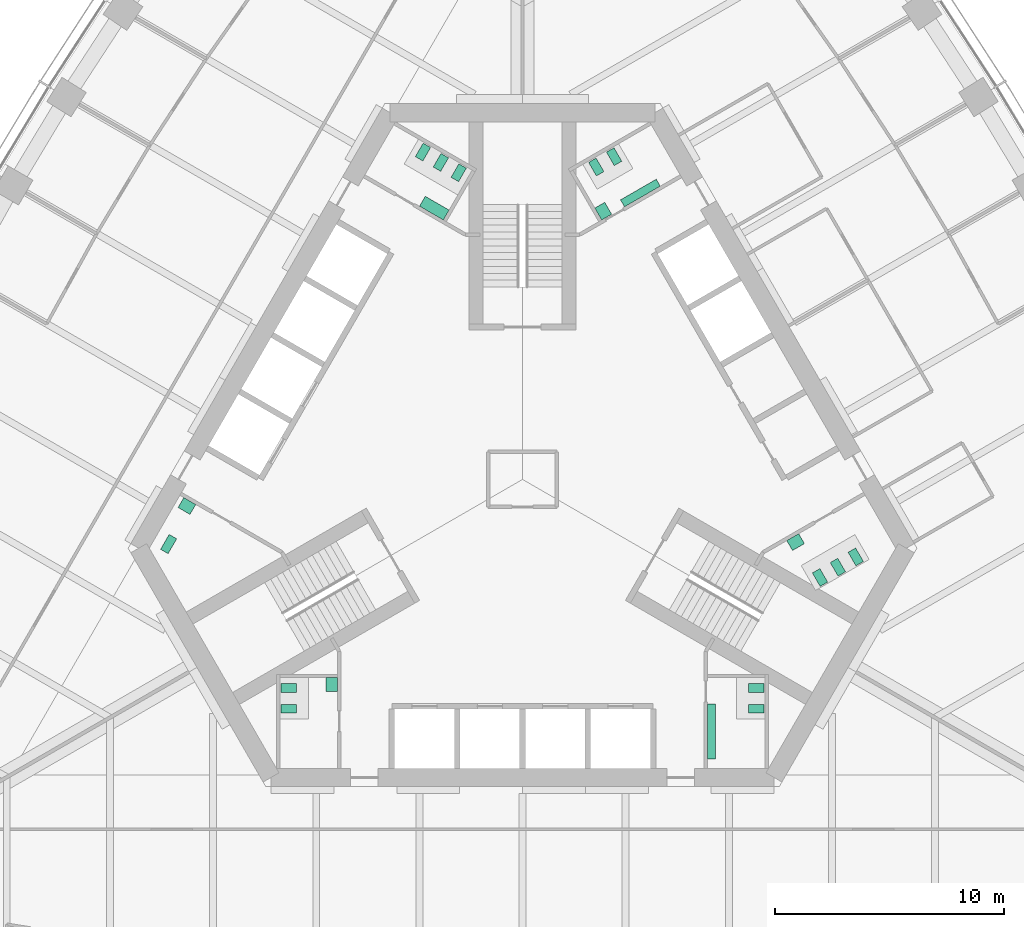
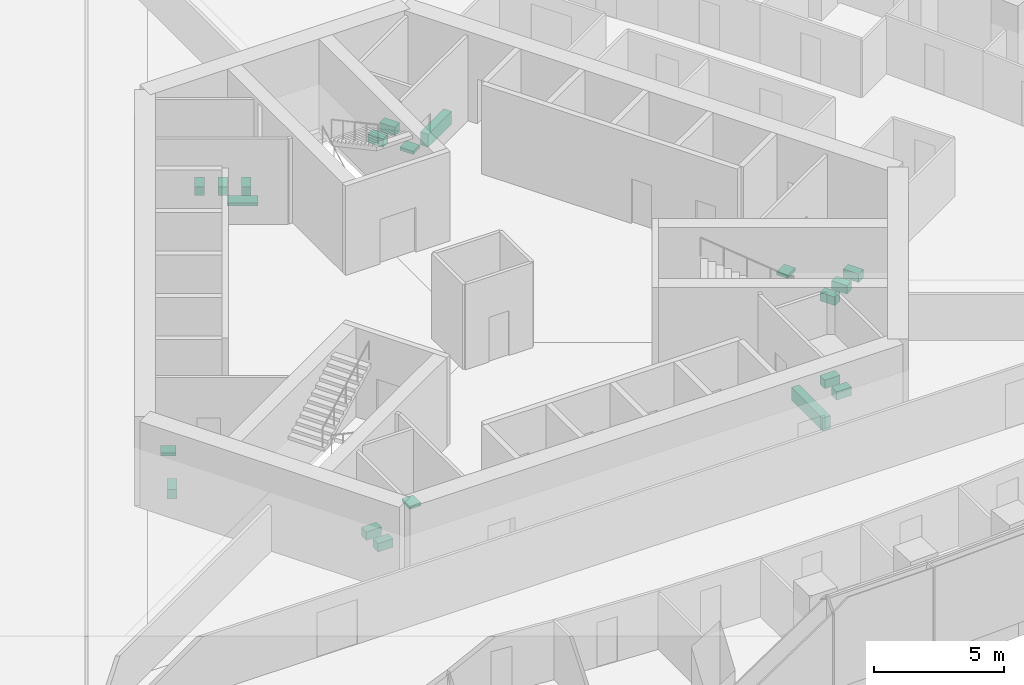
# One storey, part 20 of 21: 20 sanitary terminals.
"""IFC4 building model written with IfcOpenShell, lengths in metres."""

from ifc_helpers import new_model, si_unit, direction, frame, origin, place, context, subcontext, project, spatial, polyline, outline, extrude, material, type_object, element, save


model = new_model("IFC4")

# Units and contexts
model_context = context("Model", 3, precision=1e-05, world=origin(), true_north=direction((0.0, 1.0)))
body_context = subcontext(model_context, "Body", "Model", "MODEL_VIEW")
ifc_project = project(units=[si_unit("LENGTHUNIT", "METRE"), si_unit("AREAUNIT", "SQUARE_METRE"), si_unit("VOLUMEUNIT", "CUBIC_METRE"), si_unit("PLANEANGLEUNIT", "RADIAN"), si_unit("MASSUNIT", "GRAM", prefix="KILO")], contexts=[model_context])

# Site, building, storey
site_placement = place(None, origin())
site = spatial("IfcSite", under=ifc_project, at=site_placement, CompositionType="ELEMENT")
building_placement = place(site_placement, origin())
building = spatial("IfcBuilding", under=site, at=building_placement, Name="Trefoil Bronze Tower", CompositionType="ELEMENT")
storey_placement = place(building_placement, frame((0.0, 0.0, 153.5)))
storey = spatial("IfcBuildingStorey", under=building, at=storey_placement, Name="L35", CompositionType="ELEMENT", Elevation=153.5)

# Sanitary terminals
ifc_material_1 = material(Name="Vitreous china", Category="ceramic")
sanitary_terminal_type_1 = type_object("IfcSanitaryTerminalType", Name="Accessible WC pan", PredefinedType="TOILETPAN", material=ifc_material_1)
sanitary_terminal_1_placement = place(storey_placement, origin())
element("IfcSanitaryTerminal", 1, at=sanitary_terminal_1_placement, inside=storey, type_object=sanitary_terminal_type_1, Name="WC pan 1 Accessible WC L35", PredefinedType="TOILETPAN", context=body_context, shape_type="SweptSolid", body=[
    extrude(outline(polyline([(-15.085693359375, -2.589111328125), (-15.460693359375, -3.238525390625), (-15.789794921875, -3.048583984375), (-15.414794921875, -2.399169921875), (-15.085693359375, -2.589111328125)])), origin(), (0.0, 0.0, 1.0), 0.449951171875),
])
ifc_material_2 = material(Name="Vitreous china", Category="ceramic")
sanitary_terminal_type_2 = type_object("IfcSanitaryTerminalType", Name="Accessible basin", PredefinedType="WASHHANDBASIN", material=ifc_material_2)
sanitary_terminal_2_placement = place(storey_placement, frame((0.0, 0.0, 0.64990234375)))
element("IfcSanitaryTerminal", 2, at=sanitary_terminal_2_placement, inside=storey, type_object=sanitary_terminal_type_2, Name="Wash basin Accessible WC L35", PredefinedType="WASHHANDBASIN", context=body_context, shape_type="SweptSolid", body=[
    extrude(outline(polyline([(-14.256591796875, -1.09326171875), (-14.506591796875, -1.526123046875), (-15.026123046875, -1.22607421875), (-14.776123046875, -0.793212890625), (-14.256591796875, -1.09326171875)])), origin(), (0.0, 0.0, 1.0), 0.150146484375),
])
ifc_material_3 = material(Name="Vitreous china", Category="ceramic")
sanitary_terminal_type_3 = type_object("IfcSanitaryTerminalType", Name="Urinal range 3 urinals", PredefinedType="URINAL", material=ifc_material_3)
sanitary_terminal_3_placement = place(storey_placement, frame((0.0, 0.0, 0.39990234375)))
element("IfcSanitaryTerminal", 3, at=sanitary_terminal_3_placement, inside=storey, type_object=sanitary_terminal_type_3, Name="Urinal range WC (men) L35", PredefinedType="URINAL", context=body_context, shape_type="SweptSolid", body=[
    extrude(outline(polyline([(4.449462890625, 11.89306640625), (4.274658203125, 12.1962890625), (5.83349609375, 13.09619140625), (6.00830078125, 12.793212890625), (4.449462890625, 11.89306640625)])), origin(), (0.0, 0.0, 1.0), 0.60009765625),
])
ifc_material_4 = material(Name="Vitreous china", Category="ceramic")
sanitary_terminal_type_4 = type_object("IfcSanitaryTerminalType", Name="Urinal range 4 urinals", PredefinedType="URINAL", material=ifc_material_4)
sanitary_terminal_4_placement = place(storey_placement, frame((0.0, 0.0, 0.39990234375)))
element("IfcSanitaryTerminal", 4, at=sanitary_terminal_4_placement, inside=storey, type_object=sanitary_terminal_type_4, Name="Urinal range WC (men) L35", PredefinedType="URINAL", context=body_context, shape_type="SweptSolid", body=[
    extrude(outline(polyline([(8.074951171875, -9.800048828125), (8.425048828125, -9.800048828125), (8.425048828125, -12.199951171875), (8.074951171875, -12.199951171875), (8.074951171875, -9.800048828125)])), origin(), (0.0, 0.0, 1.0), 0.60009765625),
])
ifc_material_5 = material(Name="Solid surface vanity", Category="plastic")
sanitary_terminal_type_5 = type_object("IfcSanitaryTerminalType", Name="Vanity unit 1 basins", PredefinedType="WASHHANDBASIN", material=ifc_material_5)
sanitary_terminal_5_placement = place(storey_placement, frame((0.0, 0.0, 0.75)))
element("IfcSanitaryTerminal", 5, at=sanitary_terminal_5_placement, inside=storey, type_object=sanitary_terminal_type_5, Name="Vanity unit WC (women) L35", PredefinedType="WASHHANDBASIN", context=body_context, shape_type="SweptSolid", body=[
    extrude(outline(polyline([(11.528564453125, -2.668212890625), (11.778564453125, -3.10107421875), (12.29833984375, -2.80126953125), (12.04833984375, -2.3681640625), (11.528564453125, -2.668212890625)])), origin(), (0.0, 0.0, 1.0), 0.14990234375),
])
sanitary_terminal_6_placement = place(storey_placement, frame((0.0, 0.0, 0.75)))
element("IfcSanitaryTerminal", 6, at=sanitary_terminal_6_placement, inside=storey, type_object=sanitary_terminal_type_5, Name="Vanity unit WC (men) L35", PredefinedType="WASHHANDBASIN", context=body_context, shape_type="SweptSolid", body=[
    extrude(outline(polyline([(3.45361328125, 11.318115234375), (3.153564453125, 11.837890625), (3.586669921875, 12.087890625), (3.88671875, 11.568115234375), (3.45361328125, 11.318115234375)])), origin(), (0.0, 0.0, 1.0), 0.14990234375),
])
sanitary_terminal_7_placement = place(storey_placement, frame((0.0, 0.0, 0.75)))
element("IfcSanitaryTerminal", 7, at=sanitary_terminal_7_placement, inside=storey, type_object=sanitary_terminal_type_5, Name="Vanity unit WC (women) L35", PredefinedType="WASHHANDBASIN", context=body_context, shape_type="SweptSolid", body=[
    extrude(outline(polyline([(-8.074951171875, -8.64990234375), (-8.574951171875, -8.64990234375), (-8.574951171875, -9.25), (-8.074951171875, -9.25), (-8.074951171875, -8.64990234375)])), origin(), (0.0, 0.0, 1.0), 0.14990234375),
])
ifc_material_6 = material(Name="Solid surface vanity", Category="plastic")
sanitary_terminal_type_6 = type_object("IfcSanitaryTerminalType", Name="Vanity unit 2 basins", PredefinedType="WASHHANDBASIN", material=ifc_material_6)
sanitary_terminal_8_placement = place(storey_placement, frame((0.0, 0.0, 0.75)))
element("IfcSanitaryTerminal", 8, at=sanitary_terminal_8_placement, inside=storey, type_object=sanitary_terminal_type_6, Name="Vanity unit WC (women) L35", PredefinedType="WASHHANDBASIN", context=body_context, shape_type="SweptSolid", body=[
    extrude(outline(polyline([(-3.45361328125, 11.318115234375), (-3.20361328125, 11.751220703125), (-4.242919921875, 12.35107421875), (-4.492919921875, 11.918212890625), (-3.45361328125, 11.318115234375)])), origin(), (0.0, 0.0, 1.0), 0.14990234375),
])
ifc_material_7 = material(Name="Vitreous china", Category="ceramic")
sanitary_terminal_type_7 = type_object("IfcSanitaryTerminalType", Name="WC pan", PredefinedType="TOILETPAN", material=ifc_material_7)
sanitary_terminal_9_placement = place(storey_placement, origin())
element("IfcSanitaryTerminal", 9, at=sanitary_terminal_9_placement, inside=storey, type_object=sanitary_terminal_type_7, Name="WC pan 1 WC (men) L35", PredefinedType="TOILETPAN", context=body_context, shape_type="SweptSolid", body=[
    extrude(outline(polyline([(9.85498046875, -8.909912109375), (10.534912109375, -8.909912109375), (10.534912109375, -9.2900390625), (9.85498046875, -9.2900390625), (9.85498046875, -8.909912109375)])), origin(), (0.0, 0.0, 1.0), 0.39990234375),
])
sanitary_terminal_10_placement = place(storey_placement, origin())
element("IfcSanitaryTerminal", 10, at=sanitary_terminal_10_placement, inside=storey, type_object=sanitary_terminal_type_7, Name="WC pan 2 WC (men) L35", PredefinedType="TOILETPAN", context=body_context, shape_type="SweptSolid", body=[
    extrude(outline(polyline([(9.85498046875, -9.81005859375), (10.534912109375, -9.81005859375), (10.534912109375, -10.18994140625), (9.85498046875, -10.18994140625), (9.85498046875, -9.81005859375)])), origin(), (0.0, 0.0, 1.0), 0.39990234375),
])
sanitary_terminal_11_placement = place(storey_placement, origin())
element("IfcSanitaryTerminal", 11, at=sanitary_terminal_11_placement, inside=storey, type_object=sanitary_terminal_type_7, Name="WC pan 1 WC (women) L35", PredefinedType="TOILETPAN", context=body_context, shape_type="SweptSolid", body=[
    extrude(outline(polyline([(12.643798828125, -4.07958984375), (12.98388671875, -4.66845703125), (13.31298828125, -4.478515625), (12.972900390625, -3.8896484375), (12.643798828125, -4.07958984375)])), origin(), (0.0, 0.0, 1.0), 0.39990234375),
])
sanitary_terminal_12_placement = place(storey_placement, origin())
element("IfcSanitaryTerminal", 12, at=sanitary_terminal_12_placement, inside=storey, type_object=sanitary_terminal_type_7, Name="WC pan 2 WC (women) L35", PredefinedType="TOILETPAN", context=body_context, shape_type="SweptSolid", body=[
    extrude(outline(polyline([(13.423095703125, -3.629638671875), (13.76318359375, -4.218505859375), (14.09228515625, -4.028564453125), (13.752197265625, -3.439697265625), (13.423095703125, -3.629638671875)])), origin(), (0.0, 0.0, 1.0), 0.39990234375),
])
sanitary_terminal_13_placement = place(storey_placement, origin())
element("IfcSanitaryTerminal", 13, at=sanitary_terminal_13_placement, inside=storey, type_object=sanitary_terminal_type_7, Name="WC pan 3 WC (women) L35", PredefinedType="TOILETPAN", context=body_context, shape_type="SweptSolid", body=[
    extrude(outline(polyline([(14.20263671875, -3.1796875), (14.542724609375, -3.7685546875), (14.871826171875, -3.57861328125), (14.53173828125, -2.98974609375), (14.20263671875, -3.1796875)])), origin(), (0.0, 0.0, 1.0), 0.39990234375),
])
sanitary_terminal_14_placement = place(storey_placement, origin())
element("IfcSanitaryTerminal", 14, at=sanitary_terminal_14_placement, inside=storey, type_object=sanitary_terminal_type_7, Name="WC pan 1 WC (men) L35", PredefinedType="TOILETPAN", context=body_context, shape_type="SweptSolid", body=[
    extrude(outline(polyline([(3.2216796875, 13.23974609375), (2.8818359375, 13.82861328125), (3.2109375, 14.0185546875), (3.55078125, 13.4296875), (3.2216796875, 13.23974609375)])), origin(), (0.0, 0.0, 1.0), 0.39990234375),
])
sanitary_terminal_15_placement = place(storey_placement, origin())
element("IfcSanitaryTerminal", 15, at=sanitary_terminal_15_placement, inside=storey, type_object=sanitary_terminal_type_7, Name="WC pan 2 WC (men) L35", PredefinedType="TOILETPAN", context=body_context, shape_type="SweptSolid", body=[
    extrude(outline(polyline([(4.001220703125, 13.689697265625), (3.6611328125, 14.278564453125), (3.990234375, 14.468505859375), (4.330322265625, 13.879638671875), (4.001220703125, 13.689697265625)])), origin(), (0.0, 0.0, 1.0), 0.39990234375),
])
sanitary_terminal_16_placement = place(storey_placement, origin())
element("IfcSanitaryTerminal", 16, at=sanitary_terminal_16_placement, inside=storey, type_object=sanitary_terminal_type_7, Name="WC pan 1 WC (women) L35", PredefinedType="TOILETPAN", context=body_context, shape_type="SweptSolid", body=[
    extrude(outline(polyline([(-2.788818359375, 12.98974609375), (-2.44873046875, 13.57861328125), (-2.77783203125, 13.7685546875), (-3.117919921875, 13.1796875), (-2.788818359375, 12.98974609375)])), origin(), (0.0, 0.0, 1.0), 0.39990234375),
])
sanitary_terminal_17_placement = place(storey_placement, origin())
element("IfcSanitaryTerminal", 17, at=sanitary_terminal_17_placement, inside=storey, type_object=sanitary_terminal_type_7, Name="WC pan 2 WC (women) L35", PredefinedType="TOILETPAN", context=body_context, shape_type="SweptSolid", body=[
    extrude(outline(polyline([(-3.568115234375, 13.439697265625), (-3.228271484375, 14.028564453125), (-3.557373046875, 14.218505859375), (-3.897216796875, 13.629638671875), (-3.568115234375, 13.439697265625)])), origin(), (0.0, 0.0, 1.0), 0.39990234375),
])
sanitary_terminal_18_placement = place(storey_placement, origin())
element("IfcSanitaryTerminal", 18, at=sanitary_terminal_18_placement, inside=storey, type_object=sanitary_terminal_type_7, Name="WC pan 3 WC (women) L35", PredefinedType="TOILETPAN", context=body_context, shape_type="SweptSolid", body=[
    extrude(outline(polyline([(-4.34765625, 13.8896484375), (-4.007568359375, 14.478515625), (-4.336669921875, 14.66845703125), (-4.6767578125, 14.07958984375), (-4.34765625, 13.8896484375)])), origin(), (0.0, 0.0, 1.0), 0.39990234375),
])
sanitary_terminal_19_placement = place(storey_placement, origin())
element("IfcSanitaryTerminal", 19, at=sanitary_terminal_19_placement, inside=storey, type_object=sanitary_terminal_type_7, Name="WC pan 1 WC (women) L35", PredefinedType="TOILETPAN", context=body_context, shape_type="SweptSolid", body=[
    extrude(outline(polyline([(-9.85498046875, -8.909912109375), (-10.534912109375, -8.909912109375), (-10.534912109375, -9.2900390625), (-9.85498046875, -9.2900390625), (-9.85498046875, -8.909912109375)])), origin(), (0.0, 0.0, 1.0), 0.39990234375),
])
sanitary_terminal_20_placement = place(storey_placement, origin())
element("IfcSanitaryTerminal", 20, at=sanitary_terminal_20_placement, inside=storey, type_object=sanitary_terminal_type_7, Name="WC pan 2 WC (women) L35", PredefinedType="TOILETPAN", context=body_context, shape_type="SweptSolid", body=[
    extrude(outline(polyline([(-9.85498046875, -9.81005859375), (-10.534912109375, -9.81005859375), (-10.534912109375, -10.18994140625), (-9.85498046875, -10.18994140625), (-9.85498046875, -9.81005859375)])), origin(), (0.0, 0.0, 1.0), 0.39990234375),
])

save(model, "model.ifc")
